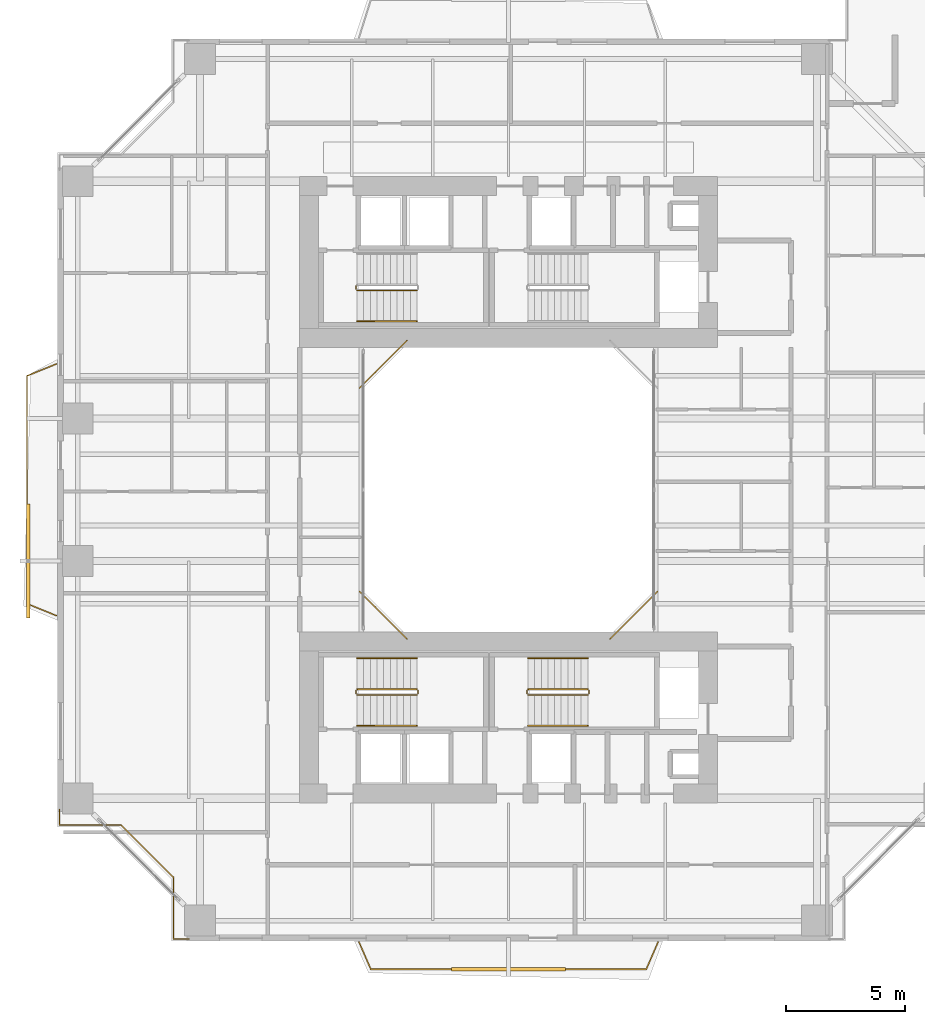
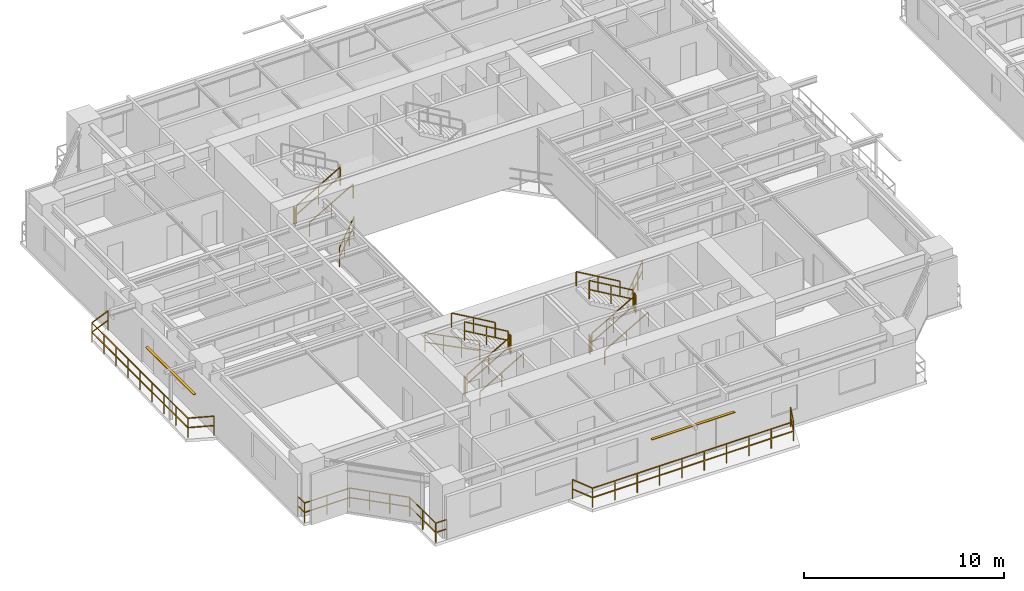
# One storey, part 19 of 23: 21 railings, 2 shading devices.
"""IFC4 building model written with IfcOpenShell, lengths in metres."""

from ifc_helpers import new_model, si_unit, direction, frame, origin, origin_2d, place, context, subcontext, project, spatial, rectangle, extrude, source, transform, mapped, material, material_profile, profile_set, type_object, element, save


model = new_model("IFC4")

# Units and contexts
model_context = context("Model", 3, precision=1e-05, world=origin(), true_north=direction((0.0, 1.0)))
body_context = subcontext(model_context, "Body", "Model", "MODEL_VIEW")
ifc_project = project(units=[si_unit("LENGTHUNIT", "METRE"), si_unit("AREAUNIT", "SQUARE_METRE"), si_unit("VOLUMEUNIT", "CUBIC_METRE"), si_unit("PLANEANGLEUNIT", "RADIAN"), si_unit("MASSUNIT", "GRAM", prefix="KILO"), si_unit("THERMODYNAMICTEMPERATUREUNIT", "KELVIN"), si_unit("POWERUNIT", "WATT")], contexts=[model_context])

# Site, building, storey
site_placement = place(None, origin())
site = spatial("IfcSite", under=ifc_project, at=site_placement, CompositionType="ELEMENT")
building_placement = place(site_placement, origin())
building = spatial("IfcBuilding", under=site, at=building_placement, Name="Qiaomeng Ring Towers", CompositionType="ELEMENT")
storey_placement = place(building_placement, frame((0.0, 0.0, 82.75)))
storey = spatial("IfcBuildingStorey", under=building, at=storey_placement, Name="L23", CompositionType="ELEMENT", Elevation=82.75)

# Railings
ifc_material_1 = material(Name="Low-E pale-green laminated safety glass", Category="glass")
railing_type_1 = type_object("IfcRailingType", Name="ARC-RL-BAL1", PredefinedType="BALUSTRADE", material=ifc_material_1)
railing_1_placement = place(storey_placement, frame((23.280029296875, 16.719970703125, 0.0)))
element("IfcRailing", 1, at=railing_1_placement, inside=storey, type_object=railing_type_1, Name="L23 Balustrade ARC-BAL-WELL1-L23-1", PredefinedType="BALUSTRADE", context=body_context, shape_type="SweptSolid", body=[
    extrude(rectangle(XDim=0.048095703125, YDim=0.048095703125, at=origin_2d()), frame((0.0, 0.0, 1.17578125), z_axis=(0.707106781187, 0.707106781187, 0.0), x_axis=(-0.707106781187, 0.707106781187, 0.0)), (0.0, 0.0, 1.0), 2.828369140625),
    extrude(rectangle(XDim=0.048095703125, YDim=0.048095703125, at=origin_2d()), frame((0.0, 0.0, 0.60009765625), z_axis=(0.707106781187, 0.707106781187, 0.0), x_axis=(-0.707106781187, 0.707106781187, 0.0)), (0.0, 0.0, 1.0), 2.828369140625),
    extrude(rectangle(XDim=0.0419921875, YDim=0.0419921875, at=origin_2d()), origin(), (0.0, 0.0, 1.0), 1.15185546875),
    extrude(rectangle(XDim=0.0419921875, YDim=0.0419921875, at=origin_2d()), frame((0.666748046875, 0.666748046875, 0.0)), (0.0, 0.0, 1.0), 1.15185546875),
    extrude(rectangle(XDim=0.0419921875, YDim=0.0419921875, at=origin_2d()), frame((1.333251953125, 1.333251953125, 0.0)), (0.0, 0.0, 1.0), 1.15185546875),
    extrude(rectangle(XDim=0.0419921875, YDim=0.0419921875, at=origin_2d()), frame((2.0, 2.0, 0.0)), (0.0, 0.0, 1.0), 1.15185546875),
])
railing_2_placement = place(storey_placement, frame((14.719970703125, 29.280029296875, 0.0)))
element("IfcRailing", 2, at=railing_2_placement, inside=storey, type_object=railing_type_1, Name="L23 Balustrade ARC-BAL-WELL1-L23-3", PredefinedType="BALUSTRADE", context=body_context, shape_type="SweptSolid", body=[
    extrude(rectangle(XDim=0.048095703125, YDim=0.048095703125, at=origin_2d()), frame((0.0, 0.0, 1.17578125), z_axis=(-0.707106781187, -0.707106781187, 0.0), x_axis=(0.707106781187, -0.707106781187, 0.0)), (0.0, 0.0, 1.0), 2.828369140625),
    extrude(rectangle(XDim=0.048095703125, YDim=0.048095703125, at=origin_2d()), frame((0.0, 0.0, 0.60009765625), z_axis=(-0.707106781187, -0.707106781187, 0.0), x_axis=(0.707106781187, -0.707106781187, 0.0)), (0.0, 0.0, 1.0), 2.828369140625),
    extrude(rectangle(XDim=0.0419921875, YDim=0.0419921875, at=origin_2d()), origin(), (0.0, 0.0, 1.0), 1.15185546875),
    extrude(rectangle(XDim=0.0419921875, YDim=0.0419921875, at=origin_2d()), frame((-0.666748046875, -0.666748046875, 0.0)), (0.0, 0.0, 1.0), 1.15185546875),
    extrude(rectangle(XDim=0.0419921875, YDim=0.0419921875, at=origin_2d()), frame((-1.333251953125, -1.333251953125, 0.0)), (0.0, 0.0, 1.0), 1.15185546875),
    extrude(rectangle(XDim=0.0419921875, YDim=0.0419921875, at=origin_2d()), frame((-2.0, -2.0, 0.0)), (0.0, 0.0, 1.0), 1.15185546875),
])
railing_3_placement = place(storey_placement, frame((12.719970703125, 18.719970703125, 0.0)))
element("IfcRailing", 3, at=railing_3_placement, inside=storey, type_object=railing_type_1, Name="L23 Balustrade ARC-BAL-WELL1-L23-4", PredefinedType="BALUSTRADE", context=body_context, shape_type="SweptSolid", body=[
    extrude(rectangle(XDim=0.048095703125, YDim=0.048095703125, at=origin_2d()), frame((0.0, 0.0, 1.17578125), z_axis=(0.707106781187, -0.707106781187, 0.0), x_axis=(0.707106781187, 0.707106781187, 0.0)), (0.0, 0.0, 1.0), 2.828369140625),
    extrude(rectangle(XDim=0.048095703125, YDim=0.048095703125, at=origin_2d()), frame((0.0, 0.0, 0.60009765625), z_axis=(0.707106781187, -0.707106781187, 0.0), x_axis=(0.707106781187, 0.707106781187, 0.0)), (0.0, 0.0, 1.0), 2.828369140625),
    extrude(rectangle(XDim=0.0419921875, YDim=0.0419921875, at=origin_2d()), origin(), (0.0, 0.0, 1.0), 1.15185546875),
    extrude(rectangle(XDim=0.0419921875, YDim=0.0419921875, at=origin_2d()), frame((0.666748046875, -0.666748046875, 0.0)), (0.0, 0.0, 1.0), 1.15185546875),
    extrude(rectangle(XDim=0.0419921875, YDim=0.0419921875, at=origin_2d()), frame((1.333251953125, -1.333251953125, 0.0)), (0.0, 0.0, 1.0), 1.15185546875),
    extrude(rectangle(XDim=0.0419921875, YDim=0.0419921875, at=origin_2d()), frame((2.0, -2.0, 0.0)), (0.0, 0.0, 1.0), 1.15185546875),
])
railing_4_placement = place(storey_placement, frame((0.080078125, 9.530029296875, 0.0)))
element("IfcRailing", 4, at=railing_4_placement, inside=storey, type_object=railing_type_1, Name="L23 Balustrade ARC-BAL-NOTCH1-L23-SW", PredefinedType="BALUSTRADE", context=body_context, shape_type="SweptSolid", body=[
    extrude(rectangle(XDim=0.048095703125, YDim=0.048095703125, at=origin_2d()), frame((0.0, 0.0, 1.17578125), z_axis=(0.0, -1.0, 0.0), x_axis=(1.0, 0.0, 0.0)), (0.0, 0.0, 1.0), 0.650146484375),
    extrude(rectangle(XDim=0.048095703125, YDim=0.048095703125, at=origin_2d()), frame((0.0, 0.0, 0.60009765625), z_axis=(0.0, -1.0, 0.0), x_axis=(1.0, 0.0, 0.0)), (0.0, 0.0, 1.0), 0.650146484375),
    extrude(rectangle(XDim=0.048095703125, YDim=0.048095703125, at=origin_2d()), frame((0.0, -0.650146484375, 1.17578125), z_axis=(1.0, 0.0, 0.0), x_axis=(0.0, 1.0, 0.0)), (0.0, 0.0, 1.0), 2.599853515625),
    extrude(rectangle(XDim=0.048095703125, YDim=0.048095703125, at=origin_2d()), frame((0.0, -0.650146484375, 0.60009765625), z_axis=(1.0, 0.0, 0.0), x_axis=(0.0, 1.0, 0.0)), (0.0, 0.0, 1.0), 2.599853515625),
    extrude(rectangle(XDim=0.048095703125, YDim=0.048095703125, at=origin_2d()), frame((2.599853515625, -0.650146484375, 1.17578125), z_axis=(0.707106781187, -0.707106781187, 0.0), x_axis=(0.707106781187, 0.707106781187, 0.0)), (0.0, 0.0, 1.0), 3.111083984375),
    extrude(rectangle(XDim=0.048095703125, YDim=0.048095703125, at=origin_2d()), frame((2.599853515625, -0.650146484375, 0.60009765625), z_axis=(0.707106781187, -0.707106781187, 0.0), x_axis=(0.707106781187, 0.707106781187, 0.0)), (0.0, 0.0, 1.0), 3.111083984375),
    extrude(rectangle(XDim=0.048095703125, YDim=0.048095703125, at=origin_2d()), frame((4.7998046875, -2.85009765625, 1.17578125), z_axis=(0.0, -1.0, 0.0), x_axis=(1.0, 0.0, 0.0)), (0.0, 0.0, 1.0), 2.599853515625),
    extrude(rectangle(XDim=0.048095703125, YDim=0.048095703125, at=origin_2d()), frame((4.7998046875, -2.85009765625, 0.60009765625), z_axis=(0.0, -1.0, 0.0), x_axis=(1.0, 0.0, 0.0)), (0.0, 0.0, 1.0), 2.599853515625),
    extrude(rectangle(XDim=0.048095703125, YDim=0.048095703125, at=origin_2d()), frame((4.7998046875, -5.449951171875, 1.17578125), z_axis=(1.0, 0.0, 0.0), x_axis=(0.0, 1.0, 0.0)), (0.0, 0.0, 1.0), 0.650146484375),
    extrude(rectangle(XDim=0.048095703125, YDim=0.048095703125, at=origin_2d()), frame((4.7998046875, -5.449951171875, 0.60009765625), z_axis=(1.0, 0.0, 0.0), x_axis=(0.0, 1.0, 0.0)), (0.0, 0.0, 1.0), 0.650146484375),
    extrude(rectangle(XDim=0.0419921875, YDim=0.0419921875, at=origin_2d()), origin(), (0.0, 0.0, 1.0), 1.15185546875),
    extrude(rectangle(XDim=0.0419921875, YDim=0.0419921875, at=origin_2d()), frame((0.0, -0.650146484375, 0.0)), (0.0, 0.0, 1.0), 1.15185546875),
    extrude(rectangle(XDim=0.0419921875, YDim=0.0419921875, at=origin_2d()), frame((1.2998046875, -0.650146484375, 0.0)), (0.0, 0.0, 1.0), 1.15185546875),
    extrude(rectangle(XDim=0.0419921875, YDim=0.0419921875, at=origin_2d()), frame((2.599853515625, -0.650146484375, 0.0)), (0.0, 0.0, 1.0), 1.15185546875),
    extrude(rectangle(XDim=0.0419921875, YDim=0.0419921875, at=origin_2d()), frame((3.333251953125, -1.383544921875, 0.0)), (0.0, 0.0, 1.0), 1.15185546875),
    extrude(rectangle(XDim=0.0419921875, YDim=0.0419921875, at=origin_2d()), frame((4.06640625, -2.11669921875, 0.0)), (0.0, 0.0, 1.0), 1.15185546875),
    extrude(rectangle(XDim=0.0419921875, YDim=0.0419921875, at=origin_2d()), frame((4.7998046875, -2.85009765625, 0.0)), (0.0, 0.0, 1.0), 1.15185546875),
    extrude(rectangle(XDim=0.0419921875, YDim=0.0419921875, at=origin_2d()), frame((4.7998046875, -4.14990234375, 0.0)), (0.0, 0.0, 1.0), 1.15185546875),
    extrude(rectangle(XDim=0.0419921875, YDim=0.0419921875, at=origin_2d()), frame((4.7998046875, -5.449951171875, 0.0)), (0.0, 0.0, 1.0), 1.15185546875),
    extrude(rectangle(XDim=0.0419921875, YDim=0.0419921875, at=origin_2d()), frame((5.449951171875, -5.449951171875, 0.0)), (0.0, 0.0, 1.0), 1.15185546875),
])
railing_5_placement = place(storey_placement, frame((12.699951171875, 3.949951171875, 0.0)))
element("IfcRailing", 5, at=railing_5_placement, inside=storey, type_object=railing_type_1, Name="L23 Balustrade ARC-BAL-L23-T1-S", PredefinedType="BALUSTRADE", context=body_context, shape_type="SweptSolid", body=[
    extrude(rectangle(XDim=0.048095703125, YDim=0.048095703125, at=origin_2d()), frame((0.0, 0.0, 1.17578125), z_axis=(0.398754589448, -0.917057673974, 0.0), x_axis=(0.917057673974, 0.398754589448, 0.0)), (0.0, 0.0, 1.0), 1.25390625),
    extrude(rectangle(XDim=0.048095703125, YDim=0.048095703125, at=origin_2d()), frame((0.0, 0.0, 0.60009765625), z_axis=(0.398754589448, -0.917057673974, 0.0), x_axis=(0.917057673974, 0.398754589448, 0.0)), (0.0, 0.0, 1.0), 1.25390625),
    extrude(rectangle(XDim=0.048095703125, YDim=0.048095703125, at=origin_2d()), frame((0.5, -1.14990234375, 1.17578125), z_axis=(1.0, 0.0, 0.0), x_axis=(0.0, 1.0, 0.0)), (0.0, 0.0, 1.0), 11.60009765625),
    extrude(rectangle(XDim=0.048095703125, YDim=0.048095703125, at=origin_2d()), frame((0.5, -1.14990234375, 0.60009765625), z_axis=(1.0, 0.0, 0.0), x_axis=(0.0, 1.0, 0.0)), (0.0, 0.0, 1.0), 11.60009765625),
    extrude(rectangle(XDim=0.048095703125, YDim=0.048095703125, at=origin_2d()), frame((12.10009765625, -1.14990234375, 1.17578125), z_axis=(0.398754589448, 0.917057673974, 0.0), x_axis=(-0.917057673974, 0.398754589448, 0.0)), (0.0, 0.0, 1.0), 1.25390625),
    extrude(rectangle(XDim=0.048095703125, YDim=0.048095703125, at=origin_2d()), frame((12.10009765625, -1.14990234375, 0.60009765625), z_axis=(0.398754589448, 0.917057673974, 0.0), x_axis=(-0.917057673974, 0.398754589448, 0.0)), (0.0, 0.0, 1.0), 1.25390625),
    extrude(rectangle(XDim=0.0419921875, YDim=0.0419921875, at=origin_2d()), origin(), (0.0, 0.0, 1.0), 1.15185546875),
    extrude(rectangle(XDim=0.0419921875, YDim=0.0419921875, at=origin_2d()), frame((0.5, -1.14990234375, 0.0)), (0.0, 0.0, 1.0), 1.15185546875),
    extrude(rectangle(XDim=0.0419921875, YDim=0.0419921875, at=origin_2d()), frame((1.788818359375, -1.14990234375, 0.0)), (0.0, 0.0, 1.0), 1.15185546875),
    extrude(rectangle(XDim=0.0419921875, YDim=0.0419921875, at=origin_2d()), frame((3.077880859375, -1.14990234375, 0.0)), (0.0, 0.0, 1.0), 1.15185546875),
    extrude(rectangle(XDim=0.0419921875, YDim=0.0419921875, at=origin_2d()), frame((4.36669921875, -1.14990234375, 0.0)), (0.0, 0.0, 1.0), 1.15185546875),
    extrude(rectangle(XDim=0.0419921875, YDim=0.0419921875, at=origin_2d()), frame((5.655517578125, -1.14990234375, 0.0)), (0.0, 0.0, 1.0), 1.15185546875),
    extrude(rectangle(XDim=0.0419921875, YDim=0.0419921875, at=origin_2d()), frame((6.944580078125, -1.14990234375, 0.0)), (0.0, 0.0, 1.0), 1.15185546875),
    extrude(rectangle(XDim=0.0419921875, YDim=0.0419921875, at=origin_2d()), frame((8.2333984375, -1.14990234375, 0.0)), (0.0, 0.0, 1.0), 1.15185546875),
    extrude(rectangle(XDim=0.0419921875, YDim=0.0419921875, at=origin_2d()), frame((9.522216796875, -1.14990234375, 0.0)), (0.0, 0.0, 1.0), 1.15185546875),
    extrude(rectangle(XDim=0.0419921875, YDim=0.0419921875, at=origin_2d()), frame((10.811279296875, -1.14990234375, 0.0)), (0.0, 0.0, 1.0), 1.15185546875),
    extrude(rectangle(XDim=0.0419921875, YDim=0.0419921875, at=origin_2d()), frame((12.10009765625, -1.14990234375, 0.0)), (0.0, 0.0, 1.0), 1.15185546875),
    extrude(rectangle(XDim=0.0419921875, YDim=0.0419921875, at=origin_2d()), frame((12.60009765625, 0.0, 0.0)), (0.0, 0.0, 1.0), 1.15185546875),
])
railing_6_placement = place(storey_placement, frame((-0.050048828125, 17.699951171875, 0.0)))
element("IfcRailing", 6, at=railing_6_placement, inside=storey, type_object=railing_type_1, Name="L23 Balustrade ARC-BAL-L23-T1-W", PredefinedType="BALUSTRADE", context=body_context, shape_type="SweptSolid", body=[
    extrude(rectangle(XDim=0.048095703125, YDim=0.048095703125, at=origin_2d()), frame((0.0, 0.0, 1.17578125), z_axis=(-0.926382398109, 0.376584190418, 0.0), x_axis=(-0.376584190418, -0.926382398109, 0.0)), (0.0, 0.0, 1.0), 1.32763671875),
    extrude(rectangle(XDim=0.048095703125, YDim=0.048095703125, at=origin_2d()), frame((0.0, 0.0, 0.60009765625), z_axis=(-0.926382398109, 0.376584190418, 0.0), x_axis=(-0.376584190418, -0.926382398109, 0.0)), (0.0, 0.0, 1.0), 1.32763671875),
    extrude(rectangle(XDim=0.048095703125, YDim=0.048095703125, at=origin_2d()), frame((-1.22998046875, 0.5, 1.17578125), z_axis=(0.0, 1.0, 0.0), x_axis=(-1.0, 0.0, 0.0)), (0.0, 0.0, 1.0), 9.60009765625),
    extrude(rectangle(XDim=0.048095703125, YDim=0.048095703125, at=origin_2d()), frame((-1.22998046875, 0.5, 0.60009765625), z_axis=(0.0, 1.0, 0.0), x_axis=(-1.0, 0.0, 0.0)), (0.0, 0.0, 1.0), 9.60009765625),
    extrude(rectangle(XDim=0.048095703125, YDim=0.048095703125, at=origin_2d()), frame((-1.22998046875, 10.10009765625, 1.17578125), z_axis=(0.926382398109, 0.376584190418, 0.0), x_axis=(-0.376584190418, 0.926382398109, 0.0)), (0.0, 0.0, 1.0), 1.32763671875),
    extrude(rectangle(XDim=0.048095703125, YDim=0.048095703125, at=origin_2d()), frame((-1.22998046875, 10.10009765625, 0.60009765625), z_axis=(0.926382398109, 0.376584190418, 0.0), x_axis=(-0.376584190418, 0.926382398109, 0.0)), (0.0, 0.0, 1.0), 1.32763671875),
    extrude(rectangle(XDim=0.0419921875, YDim=0.0419921875, at=origin_2d()), origin(), (0.0, 0.0, 1.0), 1.15185546875),
    extrude(rectangle(XDim=0.0419921875, YDim=0.0419921875, at=origin_2d()), frame((-1.22998046875, 0.5, 0.0)), (0.0, 0.0, 1.0), 1.15185546875),
    extrude(rectangle(XDim=0.0419921875, YDim=0.0419921875, at=origin_2d()), frame((-1.22998046875, 1.699951171875, 0.0)), (0.0, 0.0, 1.0), 1.15185546875),
    extrude(rectangle(XDim=0.0419921875, YDim=0.0419921875, at=origin_2d()), frame((-1.22998046875, 2.89990234375, 0.0)), (0.0, 0.0, 1.0), 1.15185546875),
    extrude(rectangle(XDim=0.0419921875, YDim=0.0419921875, at=origin_2d()), frame((-1.22998046875, 4.10009765625, 0.0)), (0.0, 0.0, 1.0), 1.15185546875),
    extrude(rectangle(XDim=0.0419921875, YDim=0.0419921875, at=origin_2d()), frame((-1.22998046875, 5.300048828125, 0.0)), (0.0, 0.0, 1.0), 1.15185546875),
    extrude(rectangle(XDim=0.0419921875, YDim=0.0419921875, at=origin_2d()), frame((-1.22998046875, 6.5, 0.0)), (0.0, 0.0, 1.0), 1.15185546875),
    extrude(rectangle(XDim=0.0419921875, YDim=0.0419921875, at=origin_2d()), frame((-1.22998046875, 7.7001953125, 0.0)), (0.0, 0.0, 1.0), 1.15185546875),
    extrude(rectangle(XDim=0.0419921875, YDim=0.0419921875, at=origin_2d()), frame((-1.22998046875, 8.900146484375, 0.0)), (0.0, 0.0, 1.0), 1.15185546875),
    extrude(rectangle(XDim=0.0419921875, YDim=0.0419921875, at=origin_2d()), frame((-1.22998046875, 10.10009765625, 0.0)), (0.0, 0.0, 1.0), 1.15185546875),
    extrude(rectangle(XDim=0.0419921875, YDim=0.0419921875, at=origin_2d()), frame((0.0, 10.60009765625, 0.0)), (0.0, 0.0, 1.0), 1.15185546875),
])
ifc_material_2 = material(Name="Galvanised steel", Category="steel")
railing_type_2 = type_object("IfcRailingType", Name="ARC-RL-GUARD", PredefinedType="GUARDRAIL", material=ifc_material_2)
railing_7_placement = place(storey_placement, frame((12.6201171875, 31.39990234375, 0.16259765625)))
element("IfcRailing", 7, at=railing_7_placement, inside=storey, type_object=railing_type_2, Name="L23 ST1 stair guard 1", PredefinedType="GUARDRAIL", context=body_context, shape_type="SweptSolid", body=[
    extrude(rectangle(XDim=0.048095703125, YDim=0.048095703125, at=origin_2d()), frame((0.0, 0.0, 1.1259765625), z_axis=(0.864892226395, 0.0, 0.501957604506), x_axis=(0.0, 1.0, 0.0)), (0.0, 0.0, 1.0), 2.913330078125),
    extrude(rectangle(XDim=0.048095703125, YDim=0.048095703125, at=origin_2d()), frame((0.0, 0.0, 0.574951171875), z_axis=(0.864892226395, 0.0, 0.501957604506), x_axis=(0.0, 1.0, 0.0)), (0.0, 0.0, 1.0), 2.913330078125),
    extrude(rectangle(XDim=0.0419921875, YDim=0.0419921875, at=origin_2d()), origin(), (0.0, 0.0, 1.0), 1.101806640625),
    extrude(rectangle(XDim=0.0419921875, YDim=0.0419921875, at=origin_2d()), frame((1.259765625, 0.0, 0.731201171875)), (0.0, 0.0, 1.0), 1.101806640625),
    extrude(rectangle(XDim=0.0419921875, YDim=0.0419921875, at=origin_2d()), frame((2.519775390625, 0.0, 1.46240234375)), (0.0, 0.0, 1.0), 1.101806640625),
])
railing_8_placement = place(storey_placement, frame((12.570068359375, 31.449951171875, 0.0)))
element("IfcRailing", 8, at=railing_8_placement, inside=storey, type_object=railing_type_2, Name="L23 ST1 stair guard 4", PredefinedType="GUARDRAIL", context=body_context, shape_type="SweptSolid", body=[
    extrude(rectangle(XDim=0.048095703125, YDim=0.048095703125, at=origin_2d()), frame((0.0, 0.0, 1.1259765625), z_axis=(0.0, 1.0, 0.0), x_axis=(-1.0, 0.0, 0.0)), (0.0, 0.0, 1.0), 0.14013671875),
    extrude(rectangle(XDim=0.048095703125, YDim=0.048095703125, at=origin_2d()), frame((0.0, 0.0, 0.574951171875), z_axis=(0.0, 1.0, 0.0), x_axis=(-1.0, 0.0, 0.0)), (0.0, 0.0, 1.0), 0.14013671875),
    extrude(rectangle(XDim=0.0419921875, YDim=0.0419921875, at=origin_2d()), origin(), (0.0, 0.0, 1.0), 1.101806640625),
    extrude(rectangle(XDim=0.0419921875, YDim=0.0419921875, at=origin_2d()), frame((0.0, 0.14013671875, 0.0)), (0.0, 0.0, 1.0), 1.101806640625),
])
railing_9_placement = place(storey_placement, frame((12.6201171875, 14.360107421875, 0.16259765625)))
element("IfcRailing", 9, at=railing_9_placement, inside=storey, type_object=railing_type_2, Name="L23 ST3 stair guard 1", PredefinedType="GUARDRAIL", context=body_context, shape_type="SweptSolid", body=[
    extrude(rectangle(XDim=0.048095703125, YDim=0.048095703125, at=origin_2d()), frame((0.0, 0.0, 1.1259765625), z_axis=(0.864892226395, 0.0, 0.501957604506), x_axis=(0.0, 1.0, 0.0)), (0.0, 0.0, 1.0), 2.913330078125),
    extrude(rectangle(XDim=0.048095703125, YDim=0.048095703125, at=origin_2d()), frame((0.0, 0.0, 0.574951171875), z_axis=(0.864892226395, 0.0, 0.501957604506), x_axis=(0.0, 1.0, 0.0)), (0.0, 0.0, 1.0), 2.913330078125),
    extrude(rectangle(XDim=0.0419921875, YDim=0.0419921875, at=origin_2d()), origin(), (0.0, 0.0, 1.0), 1.101806640625),
    extrude(rectangle(XDim=0.0419921875, YDim=0.0419921875, at=origin_2d()), frame((1.259765625, 0.0, 0.731201171875)), (0.0, 0.0, 1.0), 1.101806640625),
    extrude(rectangle(XDim=0.0419921875, YDim=0.0419921875, at=origin_2d()), frame((2.519775390625, 0.0, 1.46240234375)), (0.0, 0.0, 1.0), 1.101806640625),
])
railing_10_placement = place(storey_placement, frame((15.18994140625, 14.409912109375, 1.625)))
element("IfcRailing", 10, at=railing_10_placement, inside=storey, type_object=railing_type_2, Name="L23 ST3 stair guard 2", PredefinedType="GUARDRAIL", context=body_context, shape_type="SweptSolid", body=[
    extrude(rectangle(XDim=0.048095703125, YDim=0.048095703125, at=origin_2d()), frame((0.0, 0.0, 1.1259765625), z_axis=(0.0, 1.0, 0.0), x_axis=(-1.0, 0.0, 0.0)), (0.0, 0.0, 1.0), 0.14013671875),
    extrude(rectangle(XDim=0.048095703125, YDim=0.048095703125, at=origin_2d()), frame((0.0, 0.0, 0.574951171875), z_axis=(0.0, 1.0, 0.0), x_axis=(-1.0, 0.0, 0.0)), (0.0, 0.0, 1.0), 0.14013671875),
    extrude(rectangle(XDim=0.0419921875, YDim=0.0419921875, at=origin_2d()), origin(), (0.0, 0.0, 1.0), 1.101806640625),
    extrude(rectangle(XDim=0.0419921875, YDim=0.0419921875, at=origin_2d()), frame((0.0, 0.14013671875, 0.0)), (0.0, 0.0, 1.0), 1.101806640625),
])
railing_11_placement = place(storey_placement, frame((15.139892578125, 14.60009765625, 1.78759765625)))
element("IfcRailing", 11, at=railing_11_placement, inside=storey, type_object=railing_type_2, Name="L23 ST3 stair guard 3", PredefinedType="GUARDRAIL", context=body_context, shape_type="SweptSolid", body=[
    extrude(rectangle(XDim=0.048095703125, YDim=0.048095703125, at=origin_2d()), frame((0.0, 0.0, 1.1259765625), z_axis=(-0.864892226395, 0.0, 0.501957604506), x_axis=(0.0, -1.0, 0.0)), (0.0, 0.0, 1.0), 2.913330078125),
    extrude(rectangle(XDim=0.048095703125, YDim=0.048095703125, at=origin_2d()), frame((0.0, 0.0, 0.574951171875), z_axis=(-0.864892226395, 0.0, 0.501957604506), x_axis=(0.0, -1.0, 0.0)), (0.0, 0.0, 1.0), 2.913330078125),
    extrude(rectangle(XDim=0.0419921875, YDim=0.0419921875, at=origin_2d()), origin(), (0.0, 0.0, 1.0), 1.101806640625),
    extrude(rectangle(XDim=0.0419921875, YDim=0.0419921875, at=origin_2d()), frame((-1.259765625, 0.0, 0.731201171875)), (0.0, 0.0, 1.0), 1.101806640625),
    extrude(rectangle(XDim=0.0419921875, YDim=0.0419921875, at=origin_2d()), frame((-2.519775390625, 0.0, 1.46240234375)), (0.0, 0.0, 1.0), 1.101806640625),
])
railing_12_placement = place(storey_placement, frame((12.570068359375, 14.409912109375, 0.0)))
element("IfcRailing", 12, at=railing_12_placement, inside=storey, type_object=railing_type_2, Name="L23 ST3 stair guard 4", PredefinedType="GUARDRAIL", context=body_context, shape_type="SweptSolid", body=[
    extrude(rectangle(XDim=0.048095703125, YDim=0.048095703125, at=origin_2d()), frame((0.0, 0.0, 1.1259765625), z_axis=(0.0, 1.0, 0.0), x_axis=(-1.0, 0.0, 0.0)), (0.0, 0.0, 1.0), 0.14013671875),
    extrude(rectangle(XDim=0.048095703125, YDim=0.048095703125, at=origin_2d()), frame((0.0, 0.0, 0.574951171875), z_axis=(0.0, 1.0, 0.0), x_axis=(-1.0, 0.0, 0.0)), (0.0, 0.0, 1.0), 0.14013671875),
    extrude(rectangle(XDim=0.0419921875, YDim=0.0419921875, at=origin_2d()), origin(), (0.0, 0.0, 1.0), 1.101806640625),
    extrude(rectangle(XDim=0.0419921875, YDim=0.0419921875, at=origin_2d()), frame((0.0, 0.14013671875, 0.0)), (0.0, 0.0, 1.0), 1.101806640625),
])
railing_13_placement = place(storey_placement, frame((19.820068359375, 14.360107421875, 0.16259765625)))
element("IfcRailing", 13, at=railing_13_placement, inside=storey, type_object=railing_type_2, Name="L23 ST4 stair guard 1", PredefinedType="GUARDRAIL", context=body_context, shape_type="SweptSolid", body=[
    extrude(rectangle(XDim=0.048095703125, YDim=0.048095703125, at=origin_2d()), frame((0.0, 0.0, 1.1259765625), z_axis=(0.864913338283, 0.0, 0.50192122615), x_axis=(0.0, 1.0, 0.0)), (0.0, 0.0, 1.0), 2.91357421875),
    extrude(rectangle(XDim=0.048095703125, YDim=0.048095703125, at=origin_2d()), frame((0.0, 0.0, 0.574951171875), z_axis=(0.864913338283, 0.0, 0.50192122615), x_axis=(0.0, 1.0, 0.0)), (0.0, 0.0, 1.0), 2.91357421875),
    extrude(rectangle(XDim=0.0419921875, YDim=0.0419921875, at=origin_2d()), origin(), (0.0, 0.0, 1.0), 1.101806640625),
    extrude(rectangle(XDim=0.0419921875, YDim=0.0419921875, at=origin_2d()), frame((1.260009765625, 0.0, 0.731201171875)), (0.0, 0.0, 1.0), 1.101806640625),
    extrude(rectangle(XDim=0.0419921875, YDim=0.0419921875, at=origin_2d()), frame((2.52001953125, 0.0, 1.46240234375)), (0.0, 0.0, 1.0), 1.101806640625),
])
railing_14_placement = place(storey_placement, frame((22.389892578125, 14.409912109375, 1.625)))
element("IfcRailing", 14, at=railing_14_placement, inside=storey, type_object=railing_type_2, Name="L23 ST4 stair guard 2", PredefinedType="GUARDRAIL", context=body_context, shape_type="SweptSolid", body=[
    extrude(rectangle(XDim=0.048095703125, YDim=0.048095703125, at=origin_2d()), frame((0.0, 0.0, 1.1259765625), z_axis=(0.0, 1.0, 0.0), x_axis=(-1.0, 0.0, 0.0)), (0.0, 0.0, 1.0), 0.14013671875),
    extrude(rectangle(XDim=0.048095703125, YDim=0.048095703125, at=origin_2d()), frame((0.0, 0.0, 0.574951171875), z_axis=(0.0, 1.0, 0.0), x_axis=(-1.0, 0.0, 0.0)), (0.0, 0.0, 1.0), 0.14013671875),
    extrude(rectangle(XDim=0.0419921875, YDim=0.0419921875, at=origin_2d()), origin(), (0.0, 0.0, 1.0), 1.101806640625),
    extrude(rectangle(XDim=0.0419921875, YDim=0.0419921875, at=origin_2d()), frame((0.0, 0.14013671875, 0.0)), (0.0, 0.0, 1.0), 1.101806640625),
])
railing_15_placement = place(storey_placement, frame((22.340087890625, 14.60009765625, 1.78759765625)))
element("IfcRailing", 15, at=railing_15_placement, inside=storey, type_object=railing_type_2, Name="L23 ST4 stair guard 3", PredefinedType="GUARDRAIL", context=body_context, shape_type="SweptSolid", body=[
    extrude(rectangle(XDim=0.048095703125, YDim=0.048095703125, at=origin_2d()), frame((0.0, 0.0, 1.1259765625), z_axis=(-0.864913338283, 0.0, 0.50192122615), x_axis=(0.0, -1.0, 0.0)), (0.0, 0.0, 1.0), 2.91357421875),
    extrude(rectangle(XDim=0.048095703125, YDim=0.048095703125, at=origin_2d()), frame((0.0, 0.0, 0.574951171875), z_axis=(-0.864913338283, 0.0, 0.50192122615), x_axis=(0.0, -1.0, 0.0)), (0.0, 0.0, 1.0), 2.91357421875),
    extrude(rectangle(XDim=0.0419921875, YDim=0.0419921875, at=origin_2d()), origin(), (0.0, 0.0, 1.0), 1.101806640625),
    extrude(rectangle(XDim=0.0419921875, YDim=0.0419921875, at=origin_2d()), frame((-1.260009765625, 0.0, 0.731201171875)), (0.0, 0.0, 1.0), 1.101806640625),
    extrude(rectangle(XDim=0.0419921875, YDim=0.0419921875, at=origin_2d()), frame((-2.52001953125, 0.0, 1.46240234375)), (0.0, 0.0, 1.0), 1.101806640625),
])
railing_16_placement = place(storey_placement, frame((19.77001953125, 14.409912109375, 0.0)))
element("IfcRailing", 16, at=railing_16_placement, inside=storey, type_object=railing_type_2, Name="L23 ST4 stair guard 4", PredefinedType="GUARDRAIL", context=body_context, shape_type="SweptSolid", body=[
    extrude(rectangle(XDim=0.048095703125, YDim=0.048095703125, at=origin_2d()), frame((0.0, 0.0, 1.1259765625), z_axis=(0.0, 1.0, 0.0), x_axis=(-1.0, 0.0, 0.0)), (0.0, 0.0, 1.0), 0.14013671875),
    extrude(rectangle(XDim=0.048095703125, YDim=0.048095703125, at=origin_2d()), frame((0.0, 0.0, 0.574951171875), z_axis=(0.0, 1.0, 0.0), x_axis=(-1.0, 0.0, 0.0)), (0.0, 0.0, 1.0), 0.14013671875),
    extrude(rectangle(XDim=0.0419921875, YDim=0.0419921875, at=origin_2d()), origin(), (0.0, 0.0, 1.0), 1.101806640625),
    extrude(rectangle(XDim=0.0419921875, YDim=0.0419921875, at=origin_2d()), frame((0.0, 0.14013671875, 0.0)), (0.0, 0.0, 1.0), 1.101806640625),
])
ifc_material_3 = material(Name="Stainless steel 316", Category="steel")
railing_type_3 = type_object("IfcRailingType", Name="ARC-RL-HAND", PredefinedType="HANDRAIL", material=ifc_material_3)
for number, where, name in (
    (17, (12.6201171875, 30.10009765625, 0.16259765625), "L23 ST1 stair handrail 1"),
    (18, (12.6201171875, 13.06005859375, 0.16259765625), "L23 ST3 stair handrail 1"),
):
    element("IfcRailing", number, at=place(storey_placement, frame(where)), inside=storey, type_object=railing_type_3, Name=name, PredefinedType="HANDRAIL", context=body_context, shape_type="SweptSolid", body=[
        extrude(rectangle(XDim=0.048095703125, YDim=0.048095703125, at=origin_2d()), frame((0.0, 0.0, 0.8759765625), z_axis=(0.864892226395, 0.0, 0.501957604506), x_axis=(0.0, 1.0, 0.0)), (0.0, 0.0, 1.0), 2.913330078125),
        extrude(rectangle(XDim=0.0419921875, YDim=0.0419921875, at=origin_2d()), origin(), (0.0, 0.0, 1.0), 0.851806640625),
        extrude(rectangle(XDim=0.0419921875, YDim=0.0419921875, at=origin_2d()), frame((1.259765625, 0.0, 0.731201171875)), (0.0, 0.0, 1.0), 0.851806640625),
        extrude(rectangle(XDim=0.0419921875, YDim=0.0419921875, at=origin_2d()), frame((2.519775390625, 0.0, 1.46240234375)), (0.0, 0.0, 1.0), 0.851806640625),
    ])
railing_17_placement = place(storey_placement, frame((15.139892578125, 15.89990234375, 1.78759765625)))
element("IfcRailing", 19, at=railing_17_placement, inside=storey, type_object=railing_type_3, Name="L23 ST3 stair handrail 2", PredefinedType="HANDRAIL", context=body_context, shape_type="SweptSolid", body=[
    extrude(rectangle(XDim=0.048095703125, YDim=0.048095703125, at=origin_2d()), frame((0.0, 0.0, 0.8759765625), z_axis=(-0.864892226395, 0.0, 0.501957604506), x_axis=(0.0, -1.0, 0.0)), (0.0, 0.0, 1.0), 2.913330078125),
    extrude(rectangle(XDim=0.0419921875, YDim=0.0419921875, at=origin_2d()), origin(), (0.0, 0.0, 1.0), 0.851806640625),
    extrude(rectangle(XDim=0.0419921875, YDim=0.0419921875, at=origin_2d()), frame((-1.259765625, 0.0, 0.731201171875)), (0.0, 0.0, 1.0), 0.851806640625),
    extrude(rectangle(XDim=0.0419921875, YDim=0.0419921875, at=origin_2d()), frame((-2.519775390625, 0.0, 1.46240234375)), (0.0, 0.0, 1.0), 0.851806640625),
])
railing_18_placement = place(storey_placement, frame((19.820068359375, 13.06005859375, 0.16259765625)))
element("IfcRailing", 20, at=railing_18_placement, inside=storey, type_object=railing_type_3, Name="L23 ST4 stair handrail 1", PredefinedType="HANDRAIL", context=body_context, shape_type="SweptSolid", body=[
    extrude(rectangle(XDim=0.048095703125, YDim=0.048095703125, at=origin_2d()), frame((0.0, 0.0, 0.8759765625), z_axis=(0.864913338283, 0.0, 0.50192122615), x_axis=(0.0, 1.0, 0.0)), (0.0, 0.0, 1.0), 2.91357421875),
    extrude(rectangle(XDim=0.0419921875, YDim=0.0419921875, at=origin_2d()), origin(), (0.0, 0.0, 1.0), 0.851806640625),
    extrude(rectangle(XDim=0.0419921875, YDim=0.0419921875, at=origin_2d()), frame((1.260009765625, 0.0, 0.731201171875)), (0.0, 0.0, 1.0), 0.851806640625),
    extrude(rectangle(XDim=0.0419921875, YDim=0.0419921875, at=origin_2d()), frame((2.52001953125, 0.0, 1.46240234375)), (0.0, 0.0, 1.0), 0.851806640625),
])
railing_19_placement = place(storey_placement, frame((22.340087890625, 15.89990234375, 1.78759765625)))
element("IfcRailing", 21, at=railing_19_placement, inside=storey, type_object=railing_type_3, Name="L23 ST4 stair handrail 2", PredefinedType="HANDRAIL", context=body_context, shape_type="SweptSolid", body=[
    extrude(rectangle(XDim=0.048095703125, YDim=0.048095703125, at=origin_2d()), frame((0.0, 0.0, 0.8759765625), z_axis=(-0.864913338283, 0.0, 0.50192122615), x_axis=(0.0, -1.0, 0.0)), (0.0, 0.0, 1.0), 2.91357421875),
    extrude(rectangle(XDim=0.0419921875, YDim=0.0419921875, at=origin_2d()), origin(), (0.0, 0.0, 1.0), 0.851806640625),
    extrude(rectangle(XDim=0.0419921875, YDim=0.0419921875, at=origin_2d()), frame((-1.260009765625, 0.0, 0.731201171875)), (0.0, 0.0, 1.0), 0.851806640625),
    extrude(rectangle(XDim=0.0419921875, YDim=0.0419921875, at=origin_2d()), frame((-2.52001953125, 0.0, 1.46240234375)), (0.0, 0.0, 1.0), 0.851806640625),
])

# Shading devices
ifc_material_4 = material(Name="Fluorocarbon dark-grey aluminium", Category="aluminium")
ifc_material_profile = material_profile(ifc_material_4, rectangle(XDim=0.14990234375, YDim=0.034912109375, at=origin_2d()), Name="LV BLADE 150x35")
ifc_profile_set = profile_set([ifc_material_profile], Name="Fluorocarbon dark-grey aluminium")
shading_device_type = type_object("IfcShadingDeviceType", Name="ARC-SHD-SUN", PredefinedType="AWNING", material=ifc_profile_set)
shared_shape = source(origin(), body_context, "Body", "SweptSolid", [
    extrude(rectangle(XDim=0.14990234375, YDim=0.034912109375, at=origin_2d()), origin(), (0.0, 0.0, 1.0), 4.7998046875),
])
for number, where, z_axis, x_axis, name in (
    (22, (16.60009765625, 2.800048828125, 2.969970703125), (1.0, 0.0, 0.0), (0.0, 1.0, 0.0), "L23 Ventilated Outer-Skin Sunshade S"),
    (23, (-1.22998046875, 17.60009765625, 2.969970703125), (0.0, 1.0, 0.0), (-1.0, 0.0, 0.0), "L23 Ventilated Outer-Skin Sunshade W"),
):
    element("IfcShadingDevice", number, at=place(storey_placement, frame(where, z_axis=z_axis, x_axis=x_axis)), inside=storey, type_object=shading_device_type, Name=name, PredefinedType="AWNING", context=body_context, shape_type="MappedRepresentation", body=[
        mapped(shared_shape, transform((0.0, 0.0, 0.0), x_axis=(1.0, 0.0, 0.0), y_axis=(0.0, 1.0, 0.0), z_axis=(0.0, 0.0, 1.0), scale=1.0)),
    ])

save(model, "model.ifc")
